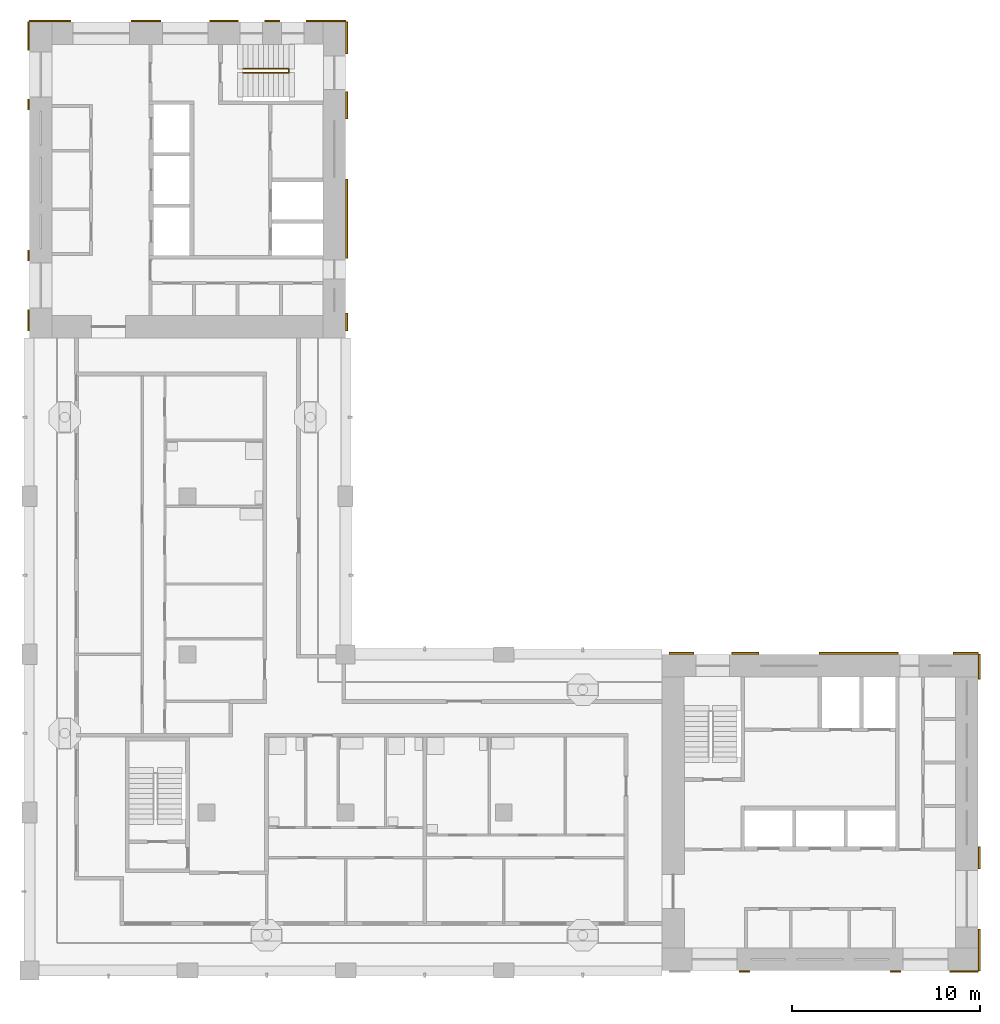
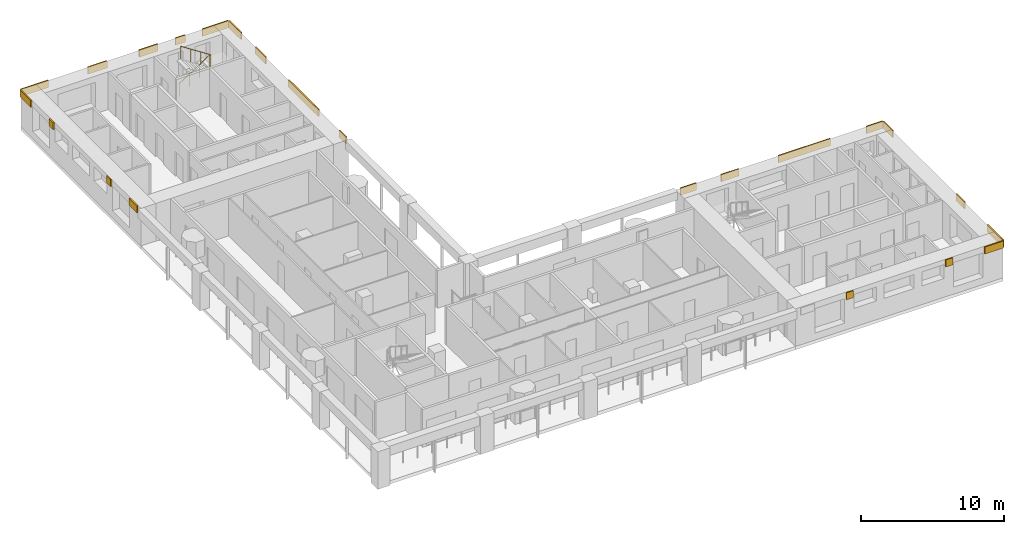
# One storey, part 9 of 12: 23 shading devices, 1 railing.
"""IFC4 building model written with IfcOpenShell, lengths in metres."""

import ifcopenshell
import ifcopenshell.guid

model = None  # the IFC model being written
_history = None  # IfcOwnerHistory: only IFC2X3 demands one
_inside = {}  # id of a spatial element -> (the spatial element, [elements in it])
_under = {}  # id of a project, library or spatial element -> (it, [spatial elements below it])
_declared = {}  # id of a project -> (the project, [libraries it declares])
_typed = {}  # id of a type object -> (the type object, [elements of that type])
_made_of = {}  # id of a material, layer set ... -> (it, [elements and type objects made of it])


def new_model(schema):
    """Start an empty IFC model of exactly this schema.

    Asked for "IFC4X3", IfcOpenShell would pick the latest addendum, in which some entities
    have other attributes; the version numbers below select the first issue.
    IFC2X3 requires an IfcOwnerHistory on every rooted entity: one is made here for all.
    """
    global model, _history
    if schema == "IFC4X3":
        model = ifcopenshell.file(schema_version=(4, 3, 0, 0))
    else:
        model = ifcopenshell.file(schema=schema)
    _inside.clear()
    _under.clear()
    _declared.clear()
    _typed.clear()
    _made_of.clear()
    _history = None
    if model.schema == "IFC2X3":
        org = make("IfcOrganization", Name="unknown")
        user = make(
            "IfcPersonAndOrganization",
            ThePerson=make("IfcPerson", FamilyName="unknown"),
            TheOrganization=org,
        )
        app = make(
            "IfcApplication",
            ApplicationDeveloper=org,
            Version="unknown",
            ApplicationFullName="unknown",
            ApplicationIdentifier="unknown",
        )
        _history = make(
            "IfcOwnerHistory",
            OwningUser=user,
            OwningApplication=app,
            ChangeAction="ADDED",
            CreationDate=0,
        )
    return model


def make(cls, **values):
    """One entity of the class cls with the attributes given. An attribute that is None is left unset."""
    return model.create_entity(
        cls, **{name: value for name, value in values.items() if value is not None}
    )


def rooted(cls, **values):
    """An entity with a GlobalId (a new one), such as an element, a storey or a relation."""
    return make(cls, GlobalId=ifcopenshell.guid.new(), OwnerHistory=_history, **values)


def si_unit(unit_type, name, prefix=None):
    """IfcSIUnit, for example si_unit("LENGTHUNIT", "METRE", prefix="MILLI")."""
    return make("IfcSIUnit", UnitType=unit_type, Prefix=prefix, Name=name)


def assignment(units):
    """IfcUnitAssignment: the units of a project."""
    return None if units is None else make("IfcUnitAssignment", Units=units)


def point(xyz):
    """IfcCartesianPoint."""
    return None if xyz is None else make("IfcCartesianPoint", Coordinates=xyz)


def direction(xyz):
    """IfcDirection."""
    return None if xyz is None else make("IfcDirection", DirectionRatios=xyz)


def frame(location, z_axis=None, x_axis=None):
    """IfcAxis2Placement3D, a coordinate frame: its origin and axes. An axis left out is left unset."""
    return make(
        "IfcAxis2Placement3D",
        Location=point(location),
        Axis=direction(z_axis),
        RefDirection=direction(x_axis),
    )


def frame_2d(location, x_axis=None):
    """IfcAxis2Placement2D, a coordinate frame in the plane: its origin and x axis."""
    return make(
        "IfcAxis2Placement2D", Location=point(location), RefDirection=direction(x_axis)
    )


def origin():
    """The frame at (0, 0, 0) with its axes left unset."""
    return frame((0.0, 0.0, 0.0))


def origin_2d():
    """The frame at (0, 0) in the plane with its x axis left unset."""
    return frame_2d((0.0, 0.0))


def place(relative_to, where):
    """IfcLocalPlacement: puts the frame where relative to a parent placement (None: the world)."""
    return make(
        "IfcLocalPlacement", PlacementRelTo=relative_to, RelativePlacement=where
    )


def context(
    kind, dimensions, precision=None, world=None, true_north=None, identifier=None
):
    """IfcGeometricRepresentationContext, for example the 3D "Model" context."""
    return make(
        "IfcGeometricRepresentationContext",
        ContextIdentifier=identifier,
        ContextType=kind,
        CoordinateSpaceDimension=dimensions,
        Precision=precision,
        WorldCoordinateSystem=world,
        TrueNorth=true_north,
    )


def subcontext(parent, identifier, kind, view, scale=None):
    """IfcGeometricRepresentationSubContext, for example "Body" below "Model"."""
    return make(
        "IfcGeometricRepresentationSubContext",
        ContextIdentifier=identifier,
        ContextType=kind,
        ParentContext=parent,
        TargetScale=scale,
        TargetView=view,
    )


def project(units=None, contexts=None):
    """IfcProject with its units and contexts."""
    return rooted(
        "IfcProject",
        Name="project",
        RepresentationContexts=contexts,
        UnitsInContext=assignment(units),
    )


def spatial(cls, under=None, at=None, **own):
    """A site, building, storey or space (cls), placed at a placement, below another one or the project."""
    s = rooted(cls, ObjectPlacement=at, **own)
    if under is not None:
        _under.setdefault(under.id(), (under, []))[1].append(s)
    return s


def profile(cls, at=None, kind="AREA", **sizes):
    """A parametric profile (cls). Its sizes go by their IFC names, for example OverallWidth=200.0."""
    return make(cls, ProfileType=kind, Position=at, **sizes)


def rectangle(**sizes):
    """IfcRectangleProfileDef."""
    return profile("IfcRectangleProfileDef", **sizes)


def circle(**sizes):
    """IfcCircleProfileDef."""
    return profile("IfcCircleProfileDef", **sizes)


def extrude(swept, where, along, depth):
    """IfcExtrudedAreaSolid: the profile swept, set in the frame where, extruded along a direction by depth."""
    return make(
        "IfcExtrudedAreaSolid",
        SweptArea=swept,
        Position=where,
        ExtrudedDirection=direction(along),
        Depth=depth,
    )


def shape(context_of_items, identifier, shape_type, items):
    """IfcShapeRepresentation: the items that make up one representation, for example the "Body"."""
    return make(
        "IfcShapeRepresentation",
        ContextOfItems=context_of_items,
        RepresentationIdentifier=identifier,
        RepresentationType=shape_type,
        Items=items,
    )


def material(Name=None, Category=None):
    """IfcMaterial."""
    return make("IfcMaterial", Name=Name, Category=Category)


def layer(
    of_material, thickness, ventilated=None, Name=None, Category=None, Priority=None
):
    """IfcMaterialLayer: one layer of a wall or slab, of a material (None: an air gap)."""
    return make(
        "IfcMaterialLayer",
        Material=of_material,
        LayerThickness=thickness,
        IsVentilated=ventilated,
        Name=Name,
        Category=Category,
        Priority=Priority,
    )


def layer_set(layers, Name=None):
    """IfcMaterialLayerSet."""
    return make("IfcMaterialLayerSet", MaterialLayers=layers, LayerSetName=Name)


def made_of(thing, what):
    """Note that an element or type object is made of a material, layer set ...; save() writes the relation."""
    if what is not None:
        _made_of.setdefault(what.id(), (what, []))[1].append(thing)
    return thing


def type_object(cls, material=None, **own):
    """A type object (cls), such as IfcWallType, which elements share."""
    return made_of(rooted(cls, **own), material)


def element(
    cls,
    number,
    at=None,
    inside=None,
    cuts=None,
    type_object=None,
    material=None,
    context=None,
    identifier="Body",
    shape_type=None,
    held_by="IfcProductDefinitionShape",
    body=None,
    shapes=None,
    **own,
):
    """One element of the class cls, such as IfcWall. Its Tag is "e" and its number.

    at: its placement. inside: the storey or other place that contains it. cuts: it is an
    opening in that element (IfcRelVoidsElement). A single representation is given by context,
    identifier, shape_type and body (its items); several are given by shapes. held_by: the class
    of the entity that holds the representations. save() writes the other relations.
    """
    e = rooted(cls, Tag="e%d" % number, ObjectPlacement=at, **own)
    if body is not None:
        shapes = [shape(context, identifier, shape_type, body)]
    if shapes is not None:
        e.Representation = make(held_by, Representations=shapes)
    if inside is not None:
        _inside.setdefault(inside.id(), (inside, []))[1].append(e)
    if cuts is not None:
        rooted(
            "IfcRelVoidsElement", RelatingBuildingElement=cuts, RelatedOpeningElement=e
        )
    if type_object is not None:
        _typed.setdefault(type_object.id(), (type_object, []))[1].append(e)
    return made_of(e, material)


def aggregate(whole, parts):
    """IfcRelAggregates: a whole, such as a stair, and the parts it consists of."""
    return rooted("IfcRelAggregates", RelatingObject=whole, RelatedObjects=parts)


def save(model, path):
    """Write the relations noted so far, then the file.

    IfcRelAggregates (storeys below a building ...), IfcRelContainedInSpatialStructure (elements
    in a storey), IfcRelDefinesByType, IfcRelAssociatesMaterial and IfcRelDeclares: one each for
    every whole, place, type object, material and project.
    """
    for whole, parts in _under.values():
        aggregate(whole, parts)
    for where, things in _inside.values():
        rooted(
            "IfcRelContainedInSpatialStructure",
            RelatedElements=things,
            RelatingStructure=where,
        )
    for kind, things in _typed.values():
        rooted("IfcRelDefinesByType", RelatedObjects=things, RelatingType=kind)
    for what, things in _made_of.values():
        rooted("IfcRelAssociatesMaterial", RelatedObjects=things, RelatingMaterial=what)
    for by, libraries in _declared.values():
        rooted("IfcRelDeclares", RelatingContext=by, RelatedDefinitions=libraries)
    model.write(path)


model = new_model("IFC4")

# Units and contexts
model_context = context("Model", 3, precision=1e-05, world=origin(), true_north=direction((0.0, 1.0)))
body_context = subcontext(model_context, "Body", "Model", "MODEL_VIEW")
ifc_project = project(units=[si_unit("LENGTHUNIT", "METRE"), si_unit("AREAUNIT", "SQUARE_METRE"), si_unit("VOLUMEUNIT", "CUBIC_METRE"), si_unit("PLANEANGLEUNIT", "RADIAN"), si_unit("MASSUNIT", "GRAM", prefix="KILO")], contexts=[model_context])

# Site, building, storey
site_placement = place(None, origin())
site = spatial("IfcSite", under=ifc_project, at=site_placement, CompositionType="ELEMENT")
building_placement = place(site_placement, origin())
building = spatial("IfcBuilding", under=site, at=building_placement, Name="Vermilion Gate Residences", CompositionType="ELEMENT")
storey_placement = place(building_placement, frame((0.0, 0.0, 235.199951171875)))
storey = spatial("IfcBuildingStorey", under=building, at=storey_placement, Name="L61", CompositionType="ELEMENT", Elevation=235.199951171875)

# Railing
ifc_material_1 = material(Name="Steel S355", Category="steel")
railing_type = type_object("IfcRailingType", Name="STAIR GUARD 1100 STEEL", PredefinedType="GUARDRAIL", material=ifc_material_1)
railing_placement = place(storey_placement, frame((19.75, 56.300048828125, 0.175048828125)))
element("IfcRailing", 1, at=railing_placement, inside=storey, type_object=railing_type, Name="Stair well guard STB1-61", PredefinedType="GUARDRAIL", context=body_context, shape_type="SweptSolid", body=[
    extrude(circle(Radius=0.02392578125, at=origin_2d()), frame((0.0, 0.0, 1.076171875), z_axis=(0.839153699163, 0.0, 0.543894354798), x_axis=(0.0, 1.0, 0.0)), (0.0, 0.0, 1.0), 2.895751953125),
    extrude(circle(Radius=0.02392578125, at=origin_2d()), frame((2.429931640625, 0.0, 2.65087890625), z_axis=(0.0, -0.752405939678, 0.658699705433), x_axis=(1.0, 0.0, 0.0)), (0.0, 0.0, 1.0), 0.265869140625),
    extrude(circle(Radius=0.02392578125, at=origin_2d()), frame((2.429931640625, -0.199951171875, 2.826171875), z_axis=(-0.839153699163, 0.0, 0.543894354798), x_axis=(0.0, -1.0, 0.0)), (0.0, 0.0, 1.0), 2.895751953125),
    extrude(circle(Radius=0.02099609375, at=origin_2d()), origin(), (0.0, 0.0, 1.0), 1.052001953125),
    extrude(circle(Radius=0.02099609375, at=origin_2d()), frame((0.81005859375, 0.0, 0.52490234375)), (0.0, 0.0, 1.0), 1.052001953125),
    extrude(circle(Radius=0.02099609375, at=origin_2d()), frame((1.619873046875, 0.0, 1.050048828125)), (0.0, 0.0, 1.0), 1.052001953125),
    extrude(circle(Radius=0.02099609375, at=origin_2d()), frame((2.429931640625, 0.0, 1.574951171875)), (0.0, 0.0, 1.0), 1.052001953125),
    extrude(circle(Radius=0.02099609375, at=origin_2d()), frame((2.429931640625, -0.199951171875, 1.75)), (0.0, 0.0, 1.0), 1.052001953125),
    extrude(circle(Radius=0.02099609375, at=origin_2d()), frame((1.619873046875, -0.199951171875, 2.27490234375)), (0.0, 0.0, 1.0), 1.052001953125),
    extrude(circle(Radius=0.02099609375, at=origin_2d()), frame((0.81005859375, -0.199951171875, 2.800048828125)), (0.0, 0.0, 1.0), 1.052001953125),
    extrude(circle(Radius=0.02099609375, at=origin_2d()), frame((0.0, -0.199951171875, 3.324951171875)), (0.0, 0.0, 1.0), 1.052001953125),
])

# Shading devices
ifc_material_2 = material(Name="Extruded terracotta", Category="masonry")
ifc_layer = layer(ifc_material_2, 0.10009765625)
ifc_layer_set = layer_set([ifc_layer], Name="TERRACOTTA SPANDREL BAND 600 X 100")
shading_device_type = type_object("IfcShadingDeviceType", Name="TERRACOTTA SPANDREL BAND 600 X 100", PredefinedType="USERDEFINED", material=ifc_layer_set)
for number, where, z_axis, x_axis, name in (
    (2, (46.3798828125, 8.35009765625, 2.6201171875), (0.0, 0.0, 1.0), (1.0, 0.0, 0.0), "SPANDREL BAND"),
    (3, (54.419921875, 8.35009765625, 2.6201171875), (0.0, 0.0, 1.0), (1.0, 0.0, 0.0), "SPANDREL BAND"),
):
    element("IfcShadingDevice", number, at=place(storey_placement, frame(where, z_axis=z_axis, x_axis=x_axis)), inside=storey, type_object=shading_device_type, Name=name, ObjectType="BAND", PredefinedType="USERDEFINED", context=body_context, shape_type="SweptSolid", body=[
        extrude(rectangle(XDim=0.56005859375, YDim=0.10009765625, at=origin_2d()), origin(), (0.0, 0.0, 1.0), 0.60009765625),
    ])
shading_device_1_placement = place(storey_placement, frame((58.050048828125, 8.35009765625, 2.6201171875), z_axis=(0.0, 0.0, 1.0), x_axis=(1.0, 0.0, 0.0)))
element("IfcShadingDevice", 4, at=shading_device_1_placement, inside=storey, type_object=shading_device_type, Name="SPANDREL BAND", ObjectType="BAND", PredefinedType="USERDEFINED", context=body_context, shape_type="SweptSolid", body=[
    extrude(rectangle(XDim=1.5, YDim=0.10009765625, at=origin_2d()), origin(), (0.0, 0.0, 1.0), 0.60009765625),
])
shading_device_2_placement = place(storey_placement, frame((43.050048828125, 25.25, 2.6201171875), z_axis=(0.0, 0.0, 1.0), x_axis=(1.0, 0.0, 0.0)))
element("IfcShadingDevice", 5, at=shading_device_2_placement, inside=storey, type_object=shading_device_type, Name="SPANDREL BAND", ObjectType="BAND", PredefinedType="USERDEFINED", context=body_context, shape_type="SweptSolid", body=[
    extrude(rectangle(XDim=1.300048828125, YDim=0.10009765625, at=origin_2d()), origin(), (0.0, 0.0, 1.0), 0.60009765625),
])
shading_device_3_placement = place(storey_placement, frame((46.425048828125, 25.25, 2.6201171875), z_axis=(0.0, 0.0, 1.0), x_axis=(1.0, 0.0, 0.0)))
element("IfcShadingDevice", 6, at=shading_device_3_placement, inside=storey, type_object=shading_device_type, Name="SPANDREL BAND", ObjectType="BAND", PredefinedType="USERDEFINED", context=body_context, shape_type="SweptSolid", body=[
    extrude(rectangle(XDim=1.449951171875, YDim=0.10009765625, at=origin_2d()), origin(), (0.0, 0.0, 1.0), 0.60009765625),
])
shading_device_4_placement = place(storey_placement, frame((52.449951171875, 25.25, 2.6201171875), z_axis=(0.0, 0.0, 1.0), x_axis=(1.0, 0.0, 0.0)))
element("IfcShadingDevice", 7, at=shading_device_4_placement, inside=storey, type_object=shading_device_type, Name="SPANDREL BAND", ObjectType="BAND", PredefinedType="USERDEFINED", context=body_context, shape_type="SweptSolid", body=[
    extrude(rectangle(XDim=4.199951171875, YDim=0.10009765625, at=origin_2d()), origin(), (0.0, 0.0, 1.0), 0.60009765625),
])
shading_device_5_placement = place(storey_placement, frame((58.137451171875, 25.25, 2.6201171875), z_axis=(0.0, 0.0, 1.0), x_axis=(1.0, 0.0, 0.0)))
element("IfcShadingDevice", 8, at=shading_device_5_placement, inside=storey, type_object=shading_device_type, Name="SPANDREL BAND", ObjectType="BAND", PredefinedType="USERDEFINED", context=body_context, shape_type="SweptSolid", body=[
    extrude(rectangle(XDim=1.324951171875, YDim=0.10009765625, at=origin_2d()), origin(), (0.0, 0.0, 1.0), 0.60009765625),
])
shading_device_6_placement = place(storey_placement, frame((58.85009765625, 9.50244140625, 2.6201171875), z_axis=(0.0, 0.0, 1.0), x_axis=(0.0, 1.0, 0.0)))
element("IfcShadingDevice", 9, at=shading_device_6_placement, inside=storey, type_object=shading_device_type, Name="SPANDREL BAND", ObjectType="BAND", PredefinedType="USERDEFINED", context=body_context, shape_type="SweptSolid", body=[
    extrude(rectangle(XDim=2.205078125, YDim=0.10009765625, at=origin_2d()), origin(), (0.0, 0.0, 1.0), 0.60009765625),
])
shading_device_7_placement = place(storey_placement, frame((58.85009765625, 14.39306640625, 2.6201171875), z_axis=(0.0, 0.0, 1.0), x_axis=(0.0, 1.0, 0.0)))
element("IfcShadingDevice", 10, at=shading_device_7_placement, inside=storey, type_object=shading_device_type, Name="SPANDREL BAND", ObjectType="BAND", PredefinedType="USERDEFINED", context=body_context, shape_type="SweptSolid", body=[
    extrude(rectangle(XDim=1.17626953125, YDim=0.10009765625, at=origin_2d()), origin(), (0.0, 0.0, 1.0), 0.60009765625),
])
shading_device_8_placement = place(storey_placement, frame((58.85009765625, 24.54443359375, 2.6201171875), z_axis=(0.0, 0.0, 1.0), x_axis=(0.0, 1.0, 0.0)))
element("IfcShadingDevice", 11, at=shading_device_8_placement, inside=storey, type_object=shading_device_type, Name="SPANDREL BAND", ObjectType="BAND", PredefinedType="USERDEFINED", context=body_context, shape_type="SweptSolid", body=[
    extrude(rectangle(XDim=1.311279296875, YDim=0.10009765625, at=origin_2d()), origin(), (0.0, 0.0, 1.0), 0.60009765625),
])
shading_device_9_placement = place(storey_placement, frame((9.50244140625, 58.85009765625, 2.6201171875), z_axis=(0.0, 0.0, 1.0), x_axis=(1.0, 0.0, 0.0)))
element("IfcShadingDevice", 12, at=shading_device_9_placement, inside=storey, type_object=shading_device_type, Name="SPANDREL BAND", ObjectType="BAND", PredefinedType="USERDEFINED", context=body_context, shape_type="SweptSolid", body=[
    extrude(rectangle(XDim=2.205078125, YDim=0.10009765625, at=origin_2d()), origin(), (0.0, 0.0, 1.0), 0.60009765625),
])
shading_device_10_placement = place(storey_placement, frame((14.590087890625, 58.85009765625, 2.6201171875), z_axis=(0.0, 0.0, 1.0), x_axis=(1.0, 0.0, 0.0)))
element("IfcShadingDevice", 13, at=shading_device_10_placement, inside=storey, type_object=shading_device_type, Name="SPANDREL BAND", ObjectType="BAND", PredefinedType="USERDEFINED", context=body_context, shape_type="SweptSolid", body=[
    extrude(rectangle(XDim=1.570068359375, YDim=0.10009765625, at=origin_2d()), origin(), (0.0, 0.0, 1.0), 0.60009765625),
])
shading_device_11_placement = place(storey_placement, frame((18.734130859375, 58.85009765625, 2.6201171875), z_axis=(0.0, 0.0, 1.0), x_axis=(1.0, 0.0, 0.0)))
element("IfcShadingDevice", 14, at=shading_device_11_placement, inside=storey, type_object=shading_device_type, Name="SPANDREL BAND", ObjectType="BAND", PredefinedType="USERDEFINED", context=body_context, shape_type="SweptSolid", body=[
    extrude(rectangle(XDim=1.518310546875, YDim=0.10009765625, at=origin_2d()), origin(), (0.0, 0.0, 1.0), 0.60009765625),
])
shading_device_12_placement = place(storey_placement, frame((21.294921875, 58.85009765625, 2.6201171875), z_axis=(0.0, 0.0, 1.0), x_axis=(1.0, 0.0, 0.0)))
element("IfcShadingDevice", 15, at=shading_device_12_placement, inside=storey, type_object=shading_device_type, Name="SPANDREL BAND", ObjectType="BAND", PredefinedType="USERDEFINED", context=body_context, shape_type="SweptSolid", body=[
    extrude(rectangle(XDim=0.803466796875, YDim=0.10009765625, at=origin_2d()), origin(), (0.0, 0.0, 1.0), 0.60009765625),
])
shading_device_13_placement = place(storey_placement, frame((24.1484375, 58.85009765625, 2.6201171875), z_axis=(0.0, 0.0, 1.0), x_axis=(1.0, 0.0, 0.0)))
element("IfcShadingDevice", 16, at=shading_device_13_placement, inside=storey, type_object=shading_device_type, Name="SPANDREL BAND", ObjectType="BAND", PredefinedType="USERDEFINED", context=body_context, shape_type="SweptSolid", body=[
    extrude(rectangle(XDim=2.103271484375, YDim=0.10009765625, at=origin_2d()), origin(), (0.0, 0.0, 1.0), 0.60009765625),
])
shading_device_14_placement = place(storey_placement, frame((8.35009765625, 42.949951171875, 2.6201171875), z_axis=(0.0, 0.0, 1.0), x_axis=(0.0, 1.0, 0.0)))
element("IfcShadingDevice", 17, at=shading_device_14_placement, inside=storey, type_object=shading_device_type, Name="SPANDREL BAND", ObjectType="BAND", PredefinedType="USERDEFINED", context=body_context, shape_type="SweptSolid", body=[
    extrude(rectangle(XDim=1.10009765625, YDim=0.10009765625, at=origin_2d()), origin(), (0.0, 0.0, 1.0), 0.60009765625),
])
for number, where, z_axis, x_axis, name in (
    (18, (8.35009765625, 46.3798828125, 2.6201171875), (0.0, 0.0, 1.0), (0.0, 1.0, 0.0), "SPANDREL BAND"),
    (19, (8.35009765625, 54.419921875, 2.6201171875), (0.0, 0.0, 1.0), (0.0, 1.0, 0.0), "SPANDREL BAND"),
):
    element("IfcShadingDevice", number, at=place(storey_placement, frame(where, z_axis=z_axis, x_axis=x_axis)), inside=storey, type_object=shading_device_type, Name=name, ObjectType="BAND", PredefinedType="USERDEFINED", context=body_context, shape_type="SweptSolid", body=[
        extrude(rectangle(XDim=0.56005859375, YDim=0.10009765625, at=origin_2d()), origin(), (0.0, 0.0, 1.0), 0.60009765625),
    ])
shading_device_15_placement = place(storey_placement, frame((8.35009765625, 58.050048828125, 2.6201171875), z_axis=(0.0, 0.0, 1.0), x_axis=(0.0, 1.0, 0.0)))
element("IfcShadingDevice", 20, at=shading_device_15_placement, inside=storey, type_object=shading_device_type, Name="SPANDREL BAND", ObjectType="BAND", PredefinedType="USERDEFINED", context=body_context, shape_type="SweptSolid", body=[
    extrude(rectangle(XDim=1.5, YDim=0.10009765625, at=origin_2d()), origin(), (0.0, 0.0, 1.0), 0.60009765625),
])
shading_device_16_placement = place(storey_placement, frame((25.25, 42.862548828125, 2.6201171875), z_axis=(0.0, 0.0, 1.0), x_axis=(0.0, 1.0, 0.0)))
element("IfcShadingDevice", 21, at=shading_device_16_placement, inside=storey, type_object=shading_device_type, Name="SPANDREL BAND", ObjectType="BAND", PredefinedType="USERDEFINED", context=body_context, shape_type="SweptSolid", body=[
    extrude(rectangle(XDim=0.925048828125, YDim=0.10009765625, at=origin_2d()), origin(), (0.0, 0.0, 1.0), 0.60009765625),
])
shading_device_17_placement = place(storey_placement, frame((25.25, 48.35009765625, 2.6201171875), z_axis=(0.0, 0.0, 1.0), x_axis=(0.0, 1.0, 0.0)))
element("IfcShadingDevice", 22, at=shading_device_17_placement, inside=storey, type_object=shading_device_type, Name="SPANDREL BAND", ObjectType="BAND", PredefinedType="USERDEFINED", context=body_context, shape_type="SweptSolid", body=[
    extrude(rectangle(XDim=4.199951171875, YDim=0.10009765625, at=origin_2d()), origin(), (0.0, 0.0, 1.0), 0.60009765625),
])
shading_device_18_placement = place(storey_placement, frame((25.25, 54.375, 2.6201171875), z_axis=(0.0, 0.0, 1.0), x_axis=(0.0, 1.0, 0.0)))
element("IfcShadingDevice", 23, at=shading_device_18_placement, inside=storey, type_object=shading_device_type, Name="SPANDREL BAND", ObjectType="BAND", PredefinedType="USERDEFINED", context=body_context, shape_type="SweptSolid", body=[
    extrude(rectangle(XDim=1.449951171875, YDim=0.10009765625, at=origin_2d()), origin(), (0.0, 0.0, 1.0), 0.60009765625),
])
shading_device_19_placement = place(storey_placement, frame((25.25, 57.949951171875, 2.6201171875), z_axis=(0.0, 0.0, 1.0), x_axis=(0.0, 1.0, 0.0)))
element("IfcShadingDevice", 24, at=shading_device_19_placement, inside=storey, type_object=shading_device_type, Name="SPANDREL BAND", ObjectType="BAND", PredefinedType="USERDEFINED", context=body_context, shape_type="SweptSolid", body=[
    extrude(rectangle(XDim=1.699951171875, YDim=0.10009765625, at=origin_2d()), origin(), (0.0, 0.0, 1.0), 0.60009765625),
])

save(model, "model.ifc")
